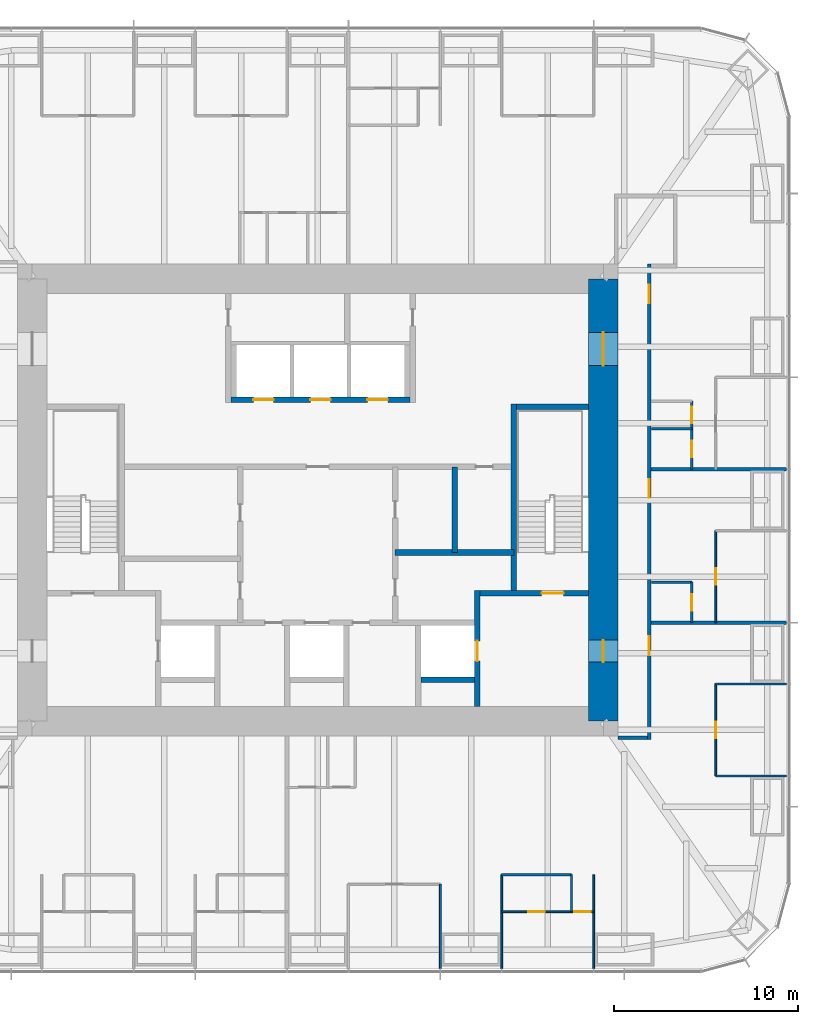
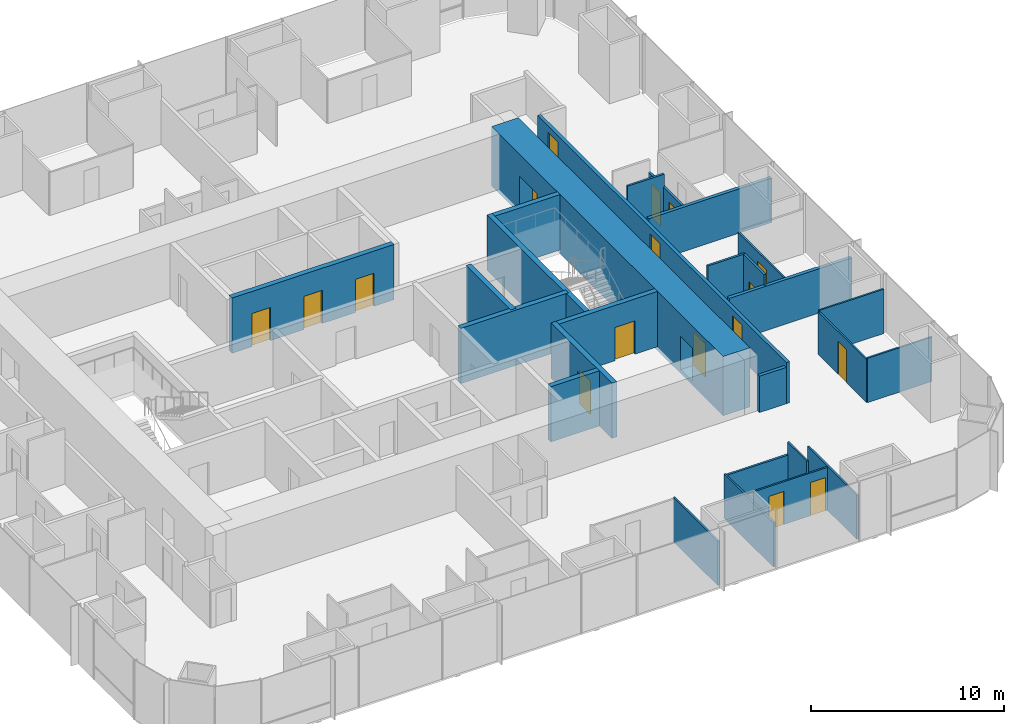
# One storey, part 10 of 13: 27 walls, 17 doors, 17 openings.
"""IFC4 building model written with IfcOpenShell, lengths in metres."""

from ifc_helpers import new_model, si_unit, direction, frame, frame_2d, origin, place, context, subcontext, project, spatial, rectangle, extrude, material, layer, layer_set, type_object, element, fill, save


model = new_model("IFC4")

# Units and contexts
model_context = context("Model", 3, precision=1e-05, world=origin(), true_north=direction((0.0, 1.0)))
body_context = subcontext(model_context, "Body", "Model", "MODEL_VIEW")
ifc_project = project(units=[si_unit("LENGTHUNIT", "METRE"), si_unit("AREAUNIT", "SQUARE_METRE"), si_unit("VOLUMEUNIT", "CUBIC_METRE"), si_unit("PLANEANGLEUNIT", "RADIAN"), si_unit("MASSUNIT", "GRAM", prefix="KILO")], contexts=[model_context])

# Site, building, storey
site_placement = place(None, origin())
site = spatial("IfcSite", under=ifc_project, at=site_placement, CompositionType="ELEMENT")
building_placement = place(site_placement, origin())
building = spatial("IfcBuilding", under=site, at=building_placement, Name="Khuree Lantern Residences", CompositionType="ELEMENT")
storey_placement = place(building_placement, frame((0.0, 0.0, 270.75)))
storey = spatial("IfcBuildingStorey", under=building, at=storey_placement, Name="L68", CompositionType="ELEMENT", Elevation=270.75)

# Wall, opening, door
ifc_material_1 = material(Name="Moisture-resistant gypsum board on steel studs", Category="steel")
ifc_layer_1 = layer(ifc_material_1, 0.125)
ifc_layer_set_1 = layer_set([ifc_layer_1], Name="BATHROOM WALL BTW125")
wall_type_1 = type_object("IfcWallType", Name="BATHROOM WALL BTW125", PredefinedType="PARTITIONING", material=ifc_layer_set_1)
wall_1_placement = place(storey_placement, frame((20.300048828125, -6.656005859375, 0.0), z_axis=(0.0, 0.0, 1.0), x_axis=(0.0, 1.0, 0.0)))
wall_1 = element("IfcWall", 1, at=wall_1_placement, inside=storey, type_object=wall_type_1, Name="L68 BATHROOM WALL 01", PredefinedType="PARTITIONING", context=body_context, shape_type="SweptSolid", body=[
    extrude(rectangle(XDim=2.199951171875, YDim=0.125, at=frame_2d((1.10009765625, 0.0))), origin(), (0.0, 0.0, 1.0), 3.5),
])
opening_1_placement = place(wall_1_placement, frame((0.64990234375, 0.0, 0.0)))
opening_1 = element("IfcOpeningElement", 2, at=opening_1_placement, cuts=wall_1, Name="Opening 68-024", PredefinedType="OPENING", context=body_context, shape_type="SweptSolid", body=[
    extrude(rectangle(XDim=0.89990234375, YDim=2.10009765625, at=frame_2d((0.449951171875, 1.050048828125))), frame((0.0, 0.072509765625, 0.0), z_axis=(0.0, -1.0, 0.0), x_axis=(1.0, 0.0, 0.0)), (0.0, 0.0, 1.0), 0.14501953125),
])
ifc_material_2 = material(Name="Timber door leaf in hardwood frame", Category="wood")
door_type_1 = type_object("IfcDoorType", Name="BATHROOM DOOR 900X2100", OperationType="SINGLE_SWING_LEFT", PredefinedType="DOOR", material=ifc_material_2)
door_1_placement = place(opening_1_placement, origin())
door_1 = element("IfcDoor", 3, at=door_1_placement, inside=storey, type_object=door_type_1, Name="Bathroom door 68-024", OperationType="SINGLE_SWING_LEFT", OverallHeight=2.10009765625, OverallWidth=0.89990234375, PredefinedType="DOOR", context=body_context, shape_type="SweptSolid", body=[
    extrude(rectangle(XDim=0.89990234375, YDim=2.10009765625, at=frame_2d((0.449951171875, 1.050048828125))), frame((0.0, 0.02490234375, 0.0), z_axis=(0.0, -1.0, 0.0), x_axis=(1.0, 0.0, 0.0)), (0.0, 0.0, 1.0), 0.050048828125),
])
fill(opening_1, door_1)

# Wall
wall_2_placement = place(storey_placement, frame((18.10009765625, -4.4560546875, 0.0), z_axis=(0.0, 0.0, 1.0), x_axis=(1.0, 0.0, 0.0)))
element("IfcWall", 4, at=wall_2_placement, inside=storey, type_object=wall_type_1, Name="L68 BATHROOM WALL 01", PredefinedType="PARTITIONING", context=body_context, shape_type="SweptSolid", body=[
    extrude(rectangle(XDim=2.199951171875, YDim=0.125, at=frame_2d((1.10009765625, 0.0))), origin(), (0.0, 0.0, 1.0), 3.5),
])

# Wall, openings, doors
wall_3_placement = place(storey_placement, frame((20.300048828125, 1.6640625, 0.0), z_axis=(0.0, 0.0, 1.0), x_axis=(0.0, 1.0, 0.0)))
wall_3 = element("IfcWall", 5, at=wall_3_placement, inside=storey, type_object=wall_type_1, Name="L68 BATHROOM WALL 02", PredefinedType="PARTITIONING", context=body_context, shape_type="SweptSolid", body=[
    extrude(rectangle(XDim=3.699951171875, YDim=0.125, at=frame_2d((1.85009765625, 0.0))), origin(), (0.0, 0.0, 1.0), 2.7099609375),
])
opening_2_placement = place(wall_3_placement, frame((0.64990234375, 0.0, 0.0)))
opening_2 = element("IfcOpeningElement", 6, at=opening_2_placement, cuts=wall_3, Name="Opening 68-030", PredefinedType="OPENING", context=body_context, shape_type="SweptSolid", body=[
    extrude(rectangle(XDim=0.89990234375, YDim=2.10009765625, at=frame_2d((0.449951171875, 1.050048828125))), frame((0.0, 0.072509765625, 0.0), z_axis=(0.0, -1.0, 0.0), x_axis=(1.0, 0.0, 0.0)), (0.0, 0.0, 1.0), 0.14501953125),
])
opening_3_placement = place(wall_3_placement, frame((2.5, 0.0, 0.0)))
opening_3 = element("IfcOpeningElement", 7, at=opening_3_placement, cuts=wall_3, Name="Opening 68-031", PredefinedType="OPENING", context=body_context, shape_type="SweptSolid", body=[
    extrude(rectangle(XDim=0.89990234375, YDim=2.10009765625, at=frame_2d((0.449951171875, 1.050048828125))), frame((0.0, 0.072509765625, 0.0), z_axis=(0.0, -1.0, 0.0), x_axis=(1.0, 0.0, 0.0)), (0.0, 0.0, 1.0), 0.14501953125),
])
door_2_placement = place(opening_2_placement, origin())
door_2 = element("IfcDoor", 8, at=door_2_placement, inside=storey, type_object=door_type_1, Name="Bathroom door 68-030", OperationType="SINGLE_SWING_LEFT", OverallHeight=2.10009765625, OverallWidth=0.89990234375, PredefinedType="DOOR", context=body_context, shape_type="SweptSolid", body=[
    extrude(rectangle(XDim=0.89990234375, YDim=2.10009765625, at=frame_2d((0.449951171875, 1.050048828125))), frame((0.0, 0.02490234375, 0.0), z_axis=(0.0, -1.0, 0.0), x_axis=(1.0, 0.0, 0.0)), (0.0, 0.0, 1.0), 0.050048828125),
])
fill(opening_2, door_2)
door_type_2 = type_object("IfcDoorType", Name="WC DOOR 900X2100", OperationType="SINGLE_SWING_LEFT", PredefinedType="DOOR", material=ifc_material_2)
door_3_placement = place(opening_3_placement, origin())
door_3 = element("IfcDoor", 9, at=door_3_placement, inside=storey, type_object=door_type_2, Name="WC door 68-031", OperationType="SINGLE_SWING_LEFT", OverallHeight=2.10009765625, OverallWidth=0.89990234375, PredefinedType="DOOR", context=body_context, shape_type="SweptSolid", body=[
    extrude(rectangle(XDim=0.89990234375, YDim=2.10009765625, at=frame_2d((0.449951171875, 1.050048828125))), frame((0.0, 0.02490234375, 0.0), z_axis=(0.0, -1.0, 0.0), x_axis=(1.0, 0.0, 0.0)), (0.0, 0.0, 1.0), 0.050048828125),
])
fill(opening_3, door_3)

# Walls
wall_4_placement = place(storey_placement, frame((18.10009765625, 3.864013671875, 0.0), z_axis=(0.0, 0.0, 1.0), x_axis=(1.0, 0.0, 0.0)))
element("IfcWall", 10, at=wall_4_placement, inside=storey, type_object=wall_type_1, Name="L68 BATHROOM WALL 02", PredefinedType="PARTITIONING", context=body_context, shape_type="SweptSolid", body=[
    extrude(rectangle(XDim=2.199951171875, YDim=0.125, at=frame_2d((1.10009765625, 0.0))), origin(), (0.0, 0.0, 1.0), 3.5),
])
wall_5_placement = place(storey_placement, frame((9.98388671875, -20.344970703125, 0.0), z_axis=(0.0, 0.0, 1.0), x_axis=(1.0, 0.0, 0.0)))
element("IfcWall", 11, at=wall_5_placement, inside=storey, type_object=wall_type_1, Name="L68 BATHROOM WALL 06", PredefinedType="PARTITIONING", context=body_context, shape_type="SweptSolid", body=[
    extrude(rectangle(XDim=3.7919921875, YDim=0.125, at=frame_2d((1.89599609375, 0.0))), origin(), (0.0, 0.0, 1.0), 2.7099609375),
])

# Wall, opening, door
ifc_material_3 = material(Name="Dense concrete blockwork", Category="masonry")
ifc_layer_2 = layer(ifc_material_3, 0.300048828125)
ifc_layer_set_2 = layer_set([ifc_layer_2], Name="CORE PARTITION WALL CPW300 EI 120")
wall_type_2 = type_object("IfcWallType", Name="CORE PARTITION WALL CPW300 EI 120", PredefinedType="PARTITIONING", material=ifc_layer_set_2)
wall_6_placement = place(storey_placement, frame((8.64990234375, -11.199951171875, 0.0), z_axis=(0.0, 0.0, 1.0), x_axis=(0.0, 1.0, 0.0)))
wall_6 = element("IfcWall", 12, at=wall_6_placement, inside=storey, type_object=wall_type_2, Name="L68 CORE WALL FL2E", PredefinedType="PARTITIONING", context=body_context, shape_type="SweptSolid", body=[
    extrude(rectangle(XDim=6.300048828125, YDim=0.300048828125, at=frame_2d((3.14990234375, 0.0))), origin(), (0.0, 0.0, 1.0), 3.5),
])
opening_4_placement = place(wall_6_placement, frame((2.449951171875, 0.0, 0.0)))
opening_4 = element("IfcOpeningElement", 13, at=opening_4_placement, cuts=wall_6, Name="Opening 68-008", PredefinedType="OPENING", context=body_context, shape_type="SweptSolid", body=[
    extrude(rectangle(XDim=1.10009765625, YDim=2.10009765625, at=frame_2d((0.550048828125, 1.050048828125))), frame((0.0, 0.16015625, 0.0), z_axis=(0.0, -1.0, 0.0), x_axis=(1.0, 0.0, 0.0)), (0.0, 0.0, 1.0), 0.320068359375),
])
ifc_material_4 = material(Name="Stainless steel lift landing door", Category="steel")
door_type_3 = type_object("IfcDoorType", Name="LIFT LANDING DOOR 1100X2100 E 120", OperationType="DOUBLE_DOOR_SLIDING", PredefinedType="DOOR", material=ifc_material_4)
door_4_placement = place(opening_4_placement, origin())
door_4 = element("IfcDoor", 14, at=door_4_placement, inside=storey, type_object=door_type_3, Name="Landing door FL2 68-008", OperationType="DOUBLE_DOOR_SLIDING", OverallHeight=2.10009765625, OverallWidth=1.10009765625, PredefinedType="DOOR", context=body_context, shape_type="SweptSolid", body=[
    extrude(rectangle(XDim=1.10009765625, YDim=2.10009765625, at=frame_2d((0.550048828125, 1.050048828125))), frame((0.0, 0.02490234375, 0.0), z_axis=(0.0, -1.0, 0.0), x_axis=(1.0, 0.0, 0.0)), (0.0, 0.0, 1.0), 0.050048828125),
])
fill(opening_4, door_4)

# Wall
wall_7_placement = place(storey_placement, frame((5.60009765625, -9.75, 0.0), z_axis=(0.0, 0.0, 1.0), x_axis=(1.0, 0.0, 0.0)))
element("IfcWall", 15, at=wall_7_placement, inside=storey, type_object=wall_type_2, Name="L68 CORE WALL FL2S", PredefinedType="PARTITIONING", context=body_context, shape_type="SweptSolid", body=[
    extrude(rectangle(XDim=2.89990234375, YDim=0.300048828125, at=frame_2d((1.449951171875, 0.0))), origin(), (0.0, 0.0, 1.0), 3.5),
])

# Wall, openings, doors
wall_8_placement = place(storey_placement, frame((-4.699951171875, 5.449951171875, 0.0), z_axis=(0.0, 0.0, 1.0), x_axis=(1.0, 0.0, 0.0)))
wall_8 = element("IfcWall", 16, at=wall_8_placement, inside=storey, type_object=wall_type_2, Name="L68 CORE WALL PHS", PredefinedType="PARTITIONING", context=body_context, shape_type="SweptSolid", body=[
    extrude(rectangle(XDim=9.699951171875, YDim=0.300048828125, at=frame_2d((4.85009765625, 0.0))), origin(), (0.0, 0.0, 1.0), 3.5),
])
opening_5_placement = place(wall_8_placement, frame((1.199951171875, 0.0, 0.0)))
opening_5 = element("IfcOpeningElement", 17, at=opening_5_placement, cuts=wall_8, Name="Opening 68-009", PredefinedType="OPENING", context=body_context, shape_type="SweptSolid", body=[
    extrude(rectangle(XDim=1.10009765625, YDim=2.10009765625, at=frame_2d((0.550048828125, 1.050048828125))), frame((0.0, 0.16015625, 0.0), z_axis=(0.0, -1.0, 0.0), x_axis=(1.0, 0.0, 0.0)), (0.0, 0.0, 1.0), 0.320068359375),
])
opening_6_placement = place(wall_8_placement, frame((4.300048828125, 0.0, 0.0)))
opening_6 = element("IfcOpeningElement", 18, at=opening_6_placement, cuts=wall_8, Name="Opening 68-010", PredefinedType="OPENING", context=body_context, shape_type="SweptSolid", body=[
    extrude(rectangle(XDim=1.10009765625, YDim=2.10009765625, at=frame_2d((0.550048828125, 1.050048828125))), frame((0.0, 0.16015625, 0.0), z_axis=(0.0, -1.0, 0.0), x_axis=(1.0, 0.0, 0.0)), (0.0, 0.0, 1.0), 0.320068359375),
])
opening_7_placement = place(wall_8_placement, frame((7.39990234375, 0.0, 0.0)))
opening_7 = element("IfcOpeningElement", 19, at=opening_7_placement, cuts=wall_8, Name="Opening 68-011", PredefinedType="OPENING", context=body_context, shape_type="SweptSolid", body=[
    extrude(rectangle(XDim=1.10009765625, YDim=2.10009765625, at=frame_2d((0.550048828125, 1.050048828125))), frame((0.0, 0.16015625, 0.0), z_axis=(0.0, -1.0, 0.0), x_axis=(1.0, 0.0, 0.0)), (0.0, 0.0, 1.0), 0.320068359375),
])
door_type_4 = type_object("IfcDoorType", Name="LIFT LANDING DOOR 1100X2100 E 60", OperationType="DOUBLE_DOOR_SLIDING", PredefinedType="DOOR", material=ifc_material_4)
door_5_placement = place(opening_5_placement, origin())
door_5 = element("IfcDoor", 20, at=door_5_placement, inside=storey, type_object=door_type_4, Name="Landing door PH1 68-009", OperationType="DOUBLE_DOOR_SLIDING", OverallHeight=2.10009765625, OverallWidth=1.10009765625, PredefinedType="DOOR", context=body_context, shape_type="SweptSolid", body=[
    extrude(rectangle(XDim=1.10009765625, YDim=2.10009765625, at=frame_2d((0.550048828125, 1.050048828125))), frame((0.0, 0.02490234375, 0.0), z_axis=(0.0, -1.0, 0.0), x_axis=(1.0, 0.0, 0.0)), (0.0, 0.0, 1.0), 0.050048828125),
])
fill(opening_5, door_5)
door_6_placement = place(opening_6_placement, origin())
door_6 = element("IfcDoor", 21, at=door_6_placement, inside=storey, type_object=door_type_4, Name="Landing door PH2 68-010", OperationType="DOUBLE_DOOR_SLIDING", OverallHeight=2.10009765625, OverallWidth=1.10009765625, PredefinedType="DOOR", context=body_context, shape_type="SweptSolid", body=[
    extrude(rectangle(XDim=1.10009765625, YDim=2.10009765625, at=frame_2d((0.550048828125, 1.050048828125))), frame((0.0, 0.02490234375, 0.0), z_axis=(0.0, -1.0, 0.0), x_axis=(1.0, 0.0, 0.0)), (0.0, 0.0, 1.0), 0.050048828125),
])
fill(opening_6, door_6)
door_7_placement = place(opening_7_placement, origin())
door_7 = element("IfcDoor", 22, at=door_7_placement, inside=storey, type_object=door_type_4, Name="Landing door PH3 68-011", OperationType="DOUBLE_DOOR_SLIDING", OverallHeight=2.10009765625, OverallWidth=1.10009765625, PredefinedType="DOOR", context=body_context, shape_type="SweptSolid", body=[
    extrude(rectangle(XDim=1.10009765625, YDim=2.10009765625, at=frame_2d((0.550048828125, 1.050048828125))), frame((0.0, 0.02490234375, 0.0), z_axis=(0.0, -1.0, 0.0), x_axis=(1.0, 0.0, 0.0)), (0.0, 0.0, 1.0), 0.050048828125),
])
fill(opening_7, door_7)

# Walls
wall_9_placement = place(storey_placement, frame((10.64990234375, -2.847900390625, 0.0), z_axis=(0.0, 0.0, 1.0), x_axis=(-1.0, 0.0, 0.0)))
element("IfcWall", 23, at=wall_9_placement, inside=storey, type_object=wall_type_2, Name="L68 CORE WALL EX", PredefinedType="PARTITIONING", context=body_context, shape_type="SweptSolid", body=[
    extrude(rectangle(XDim=6.449951171875, YDim=0.300048828125, at=frame_2d((3.22509765625, 0.0))), origin(), (0.0, 0.0, 1.0), 3.5),
])
wall_10_placement = place(storey_placement, frame((7.425048828125, -2.847900390625, 0.0), z_axis=(0.0, 0.0, 1.0), x_axis=(0.0, 1.0, 0.0)))
element("IfcWall", 24, at=wall_10_placement, inside=storey, type_object=wall_type_2, Name="L68 CORE WALL EV", PredefinedType="PARTITIONING", context=body_context, shape_type="SweptSolid", body=[
    extrude(rectangle(XDim=4.64794921875, YDim=0.300048828125, at=frame_2d((2.323974609375, 0.0))), origin(), (0.0, 0.0, 1.0), 3.5),
])
ifc_material_5 = material(Name="Gypsum board on steel studs", Category="steel")
ifc_layer_3 = layer(ifc_material_5, 0.199951171875)
ifc_layer_set_3 = layer_set([ifc_layer_3], Name="CORRIDOR WALL CRW200 EI 60")
wall_type_3 = type_object("IfcWallType", Name="CORRIDOR WALL CRW200 EI 60", PredefinedType="PARTITIONING", material=ifc_layer_set_3)
wall_11_placement = place(storey_placement, frame((16.300048828125, -12.89990234375, 0.0), z_axis=(0.0, 0.0, 1.0), x_axis=(1.0, 0.0, 0.0)))
element("IfcWall", 25, at=wall_11_placement, inside=storey, type_object=wall_type_3, Name="L68 EAST CORRIDOR SOUTH END WALL", PredefinedType="PARTITIONING", context=body_context, shape_type="SweptSolid", body=[
    extrude(rectangle(XDim=1.599853515625, YDim=0.199951171875, at=frame_2d((0.7998046875, 0.0))), origin(), (0.0, 0.0, 1.0), 2.300048828125),
])

# Wall, openings, doors
wall_12_placement = place(storey_placement, frame((18.0, -13.0, 0.0), z_axis=(0.0, 0.0, 1.0), x_axis=(0.0, 1.0, 0.0)))
wall_12 = element("IfcWall", 26, at=wall_12_placement, inside=storey, type_object=wall_type_3, Name="L68 CORRIDOR WALL EAST 1", PredefinedType="PARTITIONING", context=body_context, shape_type="SweptSolid", body=[
    extrude(rectangle(XDim=25.800048828125, YDim=0.199951171875, at=frame_2d((12.89990234375, 0.0))), origin(), (0.0, 0.0, 1.0), 2.60009765625),
])
opening_8_placement = place(wall_12_placement, frame((13.114013671875, 0.0, 0.0)))
opening_8 = element("IfcOpeningElement", 27, at=opening_8_placement, cuts=wall_12, Name="Opening 68-025", PredefinedType="OPENING", context=body_context, shape_type="SweptSolid", body=[
    extrude(rectangle(XDim=1.0, YDim=2.199951171875, at=frame_2d((0.5, 1.10009765625))), frame((0.0, 0.10986328125, 0.0), z_axis=(0.0, -1.0, 0.0), x_axis=(1.0, 0.0, 0.0)), (0.0, 0.0, 1.0), 0.219970703125),
])
opening_9_placement = place(wall_12_placement, frame((23.68408203125, 0.0, 0.0)))
opening_9 = element("IfcOpeningElement", 28, at=opening_9_placement, cuts=wall_12, Name="Opening 68-032", PredefinedType="OPENING", context=body_context, shape_type="SweptSolid", body=[
    extrude(rectangle(XDim=1.0, YDim=2.199951171875, at=frame_2d((0.5, 1.10009765625))), frame((0.0, 0.10986328125, 0.0), z_axis=(0.0, -1.0, 0.0), x_axis=(1.0, 0.0, 0.0)), (0.0, 0.0, 1.0), 0.219970703125),
])
opening_10_placement = place(wall_12_placement, frame((4.60009765625, 0.0, 0.0)))
opening_10 = element("IfcOpeningElement", 29, at=opening_10_placement, cuts=wall_12, Name="Opening 68-057", PredefinedType="OPENING", context=body_context, shape_type="SweptSolid", body=[
    extrude(rectangle(XDim=1.0, YDim=2.199951171875, at=frame_2d((0.5, 1.10009765625))), frame((0.0, 0.10986328125, 0.0), z_axis=(0.0, -1.0, 0.0), x_axis=(1.0, 0.0, 0.0)), (0.0, 0.0, 1.0), 0.219970703125),
])
door_type_5 = type_object("IfcDoorType", Name="APARTMENT ENTRANCE DOOR 1000X2200 EI 30S", OperationType="SINGLE_SWING_LEFT", PredefinedType="DOOR", material=ifc_material_2)
door_8_placement = place(opening_8_placement, origin())
door_8 = element("IfcDoor", 30, at=door_8_placement, inside=storey, type_object=door_type_5, Name="Apartment 01 entrance door 68-025", OperationType="SINGLE_SWING_LEFT", OverallHeight=2.199951171875, OverallWidth=1.0, PredefinedType="DOOR", context=body_context, shape_type="SweptSolid", body=[
    extrude(rectangle(XDim=1.0, YDim=2.199951171875, at=frame_2d((0.5, 1.10009765625))), frame((0.0, 0.02490234375, 0.0), z_axis=(0.0, -1.0, 0.0), x_axis=(1.0, 0.0, 0.0)), (0.0, 0.0, 1.0), 0.050048828125),
])
fill(opening_8, door_8)
door_9_placement = place(opening_9_placement, origin())
door_9 = element("IfcDoor", 31, at=door_9_placement, inside=storey, type_object=door_type_5, Name="Apartment 02 entrance door 68-032", OperationType="SINGLE_SWING_LEFT", OverallHeight=2.199951171875, OverallWidth=1.0, PredefinedType="DOOR", context=body_context, shape_type="SweptSolid", body=[
    extrude(rectangle(XDim=1.0, YDim=2.199951171875, at=frame_2d((0.5, 1.10009765625))), frame((0.0, 0.02490234375, 0.0), z_axis=(0.0, -1.0, 0.0), x_axis=(1.0, 0.0, 0.0)), (0.0, 0.0, 1.0), 0.050048828125),
])
fill(opening_9, door_9)
door_10_placement = place(opening_10_placement, origin())
door_10 = element("IfcDoor", 32, at=door_10_placement, inside=storey, type_object=door_type_5, Name="Apartment 06 entrance door 68-057", OperationType="SINGLE_SWING_LEFT", OverallHeight=2.199951171875, OverallWidth=1.0, PredefinedType="DOOR", context=body_context, shape_type="SweptSolid", body=[
    extrude(rectangle(XDim=1.0, YDim=2.199951171875, at=frame_2d((0.5, 1.10009765625))), frame((0.0, 0.02490234375, 0.0), z_axis=(0.0, -1.0, 0.0), x_axis=(1.0, 0.0, 0.0)), (0.0, 0.0, 1.0), 0.050048828125),
])
fill(opening_10, door_10)

ifc_material_6 = material(Name="Concrete C50/60", Category="concrete")
ifc_layer_4 = layer(ifc_material_6, 1.60009765625)
ifc_layer_set_4 = layer_set([ifc_layer_4], Name="CW1600-C50 CORE WALL C50 1600")
wall_type_4 = type_object("IfcWallType", Name="CW1600-C50 CORE WALL C50 1600", PredefinedType="SHEAR", material=ifc_layer_set_4)
wall_13_placement = place(storey_placement, frame((15.5, -12.0, -0.25), z_axis=(0.0, 0.0, 1.0), x_axis=(0.0, 1.0, 0.0)))
wall_13 = element("IfcWall", 33, at=wall_13_placement, inside=storey, type_object=wall_type_4, Name="Core wall E", PredefinedType="SHEAR", context=body_context, shape_type="SweptSolid", body=[
    extrude(rectangle(XDim=24.0, YDim=1.60009765625, at=frame_2d((12.0, 0.0))), origin(), (0.0, 0.0, 1.0), 3.75),
])
opening_11_placement = place(wall_13_placement, frame((3.199951171875, 0.0, 0.25)))
opening_11 = element("IfcOpeningElement", 34, at=opening_11_placement, cuts=wall_13, Name="Opening 68-005", PredefinedType="OPENING", context=body_context, shape_type="SweptSolid", body=[
    extrude(rectangle(XDim=1.199951171875, YDim=2.10009765625, at=frame_2d((0.60009765625, 1.050048828125))), frame((0.0, 0.81005859375, 0.0), z_axis=(0.0, -1.0, 0.0), x_axis=(1.0, 0.0, 0.0)), (0.0, 0.0, 1.0), 1.6201171875),
])
opening_12_placement = place(wall_13_placement, frame((19.300048828125, 0.0, 0.25)))
opening_12 = element("IfcOpeningElement", 35, at=opening_12_placement, cuts=wall_13, Name="Opening 68-006", PredefinedType="OPENING", context=body_context, shape_type="SweptSolid", body=[
    extrude(rectangle(XDim=1.800048828125, YDim=2.10009765625, at=frame_2d((0.89990234375, 1.050048828125))), frame((0.0, 0.81005859375, 0.0), z_axis=(0.0, -1.0, 0.0), x_axis=(1.0, 0.0, 0.0)), (0.0, 0.0, 1.0), 1.6201171875),
])
ifc_material_7 = material(Name="Steel door leaf in steel frame", Category="steel")
door_type_6 = type_object("IfcDoorType", Name="LOBBY DOOR 1200X2100 EI 120", OperationType="SINGLE_SWING_LEFT", PredefinedType="DOOR", material=ifc_material_7)
door_11_placement = place(opening_11_placement, origin())
door_11 = element("IfcDoor", 36, at=door_11_placement, inside=storey, type_object=door_type_6, Name="Firefighting lobby door 68-005", OperationType="SINGLE_SWING_LEFT", OverallHeight=2.10009765625, OverallWidth=1.199951171875, PredefinedType="DOOR", context=body_context, shape_type="SweptSolid", body=[
    extrude(rectangle(XDim=1.199951171875, YDim=2.10009765625, at=frame_2d((0.60009765625, 1.050048828125))), frame((0.0, 0.02490234375, 0.0), z_axis=(0.0, -1.0, 0.0), x_axis=(1.0, 0.0, 0.0)), (0.0, 0.0, 1.0), 0.050048828125),
])
fill(opening_11, door_11)
door_type_7 = type_object("IfcDoorType", Name="LOBBY DOUBLE DOOR 1800X2100 EI 60", OperationType="DOUBLE_DOOR_SINGLE_SWING", PredefinedType="DOOR", material=ifc_material_7)
door_12_placement = place(opening_12_placement, origin())
door_12 = element("IfcDoor", 37, at=door_12_placement, inside=storey, type_object=door_type_7, Name="Lift lobby door 68-006", OperationType="DOUBLE_DOOR_SINGLE_SWING", OverallHeight=2.10009765625, OverallWidth=1.800048828125, PredefinedType="DOOR", context=body_context, shape_type="SweptSolid", body=[
    extrude(rectangle(XDim=1.800048828125, YDim=2.10009765625, at=frame_2d((0.89990234375, 1.050048828125))), frame((0.0, 0.02490234375, 0.0), z_axis=(0.0, -1.0, 0.0), x_axis=(1.0, 0.0, 0.0)), (0.0, 0.0, 1.0), 0.050048828125),
])
fill(opening_12, door_12)

# Walls
ifc_layer_5 = layer(ifc_material_5, 0.199951171875)
ifc_layer_set_5 = layer_set([ifc_layer_5], Name="DEMISING WALL DMW200 EI 90")
wall_type_5 = type_object("IfcWallType", Name="DEMISING WALL DMW200 EI 90", PredefinedType="PARTITIONING", material=ifc_layer_set_5)
for number, where, z_axis, x_axis, name in (
    (38, (18.10009765625, -6.656005859375, 0.0), (0.0, 0.0, 1.0), (1.0, 0.0, 0.0), "L68 DEMISING WALL 01"),
    (39, (18.10009765625, 1.6640625, 0.0), (0.0, 0.0, 1.0), (1.0, 0.0, 0.0), "L68 DEMISING WALL 02"),
):
    element("IfcWall", number, at=place(storey_placement, frame(where, z_axis=z_axis, x_axis=x_axis)), inside=storey, type_object=wall_type_5, Name=name, PredefinedType="PARTITIONING", context=body_context, shape_type="SweptSolid", body=[
        extrude(rectangle(XDim=7.349853515625, YDim=0.199951171875, at=frame_2d((3.6748046875, 0.0))), origin(), (0.0, 0.0, 1.0), 2.81005859375),
    ])
ifc_layer_6 = layer(ifc_material_5, 0.10009765625)
ifc_layer_set_6 = layer_set([ifc_layer_6], Name="PARTITION PT100")
wall_type_6 = type_object("IfcWallType", Name="PARTITION PT100", PredefinedType="PARTITIONING", material=ifc_layer_set_6)
wall_14_placement = place(storey_placement, frame((6.656005859375, -20.85009765625, 0.0), z_axis=(0.0, 0.0, 1.0), x_axis=(0.0, -1.0, 0.0)))
element("IfcWall", 40, at=wall_14_placement, inside=storey, type_object=wall_type_6, Name="L68 PARTITION 06", PredefinedType="PARTITIONING", context=body_context, shape_type="SweptSolid", body=[
    extrude(rectangle(XDim=4.599853515625, YDim=0.10009765625, at=frame_2d((2.2998046875, 0.0))), origin(), (0.0, 0.0, 1.0), 2.81005859375),
])
for number, where, z_axis, x_axis, name in (
    (41, (9.98388671875, -20.344970703125, 0.0), (0.0, 0.0, 1.0), (0.0, -1.0, 0.0), "L68 PARTITION 06"),
    (42, (14.97607421875, -20.344970703125, 0.0), (0.0, 0.0, 1.0), (0.0, -1.0, 0.0), "L68 PARTITION 06"),
):
    element("IfcWall", number, at=place(storey_placement, frame(where, z_axis=z_axis, x_axis=x_axis)), inside=storey, type_object=wall_type_6, Name=name, PredefinedType="PARTITIONING", context=body_context, shape_type="SweptSolid", body=[
        extrude(rectangle(XDim=5.10498046875, YDim=0.10009765625, at=frame_2d((2.552490234375, 0.0))), origin(), (0.0, 0.0, 1.0), 2.81005859375),
    ])
for number, where, z_axis, x_axis, name in (
    (43, (21.60009765625, -14.97607421875, 0.0), (0.0, 0.0, 1.0), (1.0, 0.0, 0.0), "L68 PARTITION 06"),
    (44, (21.60009765625, -9.98388671875, 0.0), (0.0, 0.0, 1.0), (1.0, 0.0, 0.0), "L68 PARTITION 06"),
):
    element("IfcWall", number, at=place(storey_placement, frame(where, z_axis=z_axis, x_axis=x_axis)), inside=storey, type_object=wall_type_6, Name=name, PredefinedType="PARTITIONING", context=body_context, shape_type="SweptSolid", body=[
        extrude(rectangle(XDim=3.849853515625, YDim=0.10009765625, at=frame_2d((1.9248046875, 0.0))), origin(), (0.0, 0.0, 1.0), 2.81005859375),
    ])

# Wall, opening, door
wall_15_placement = place(storey_placement, frame((21.60009765625, -6.656005859375, 0.0), z_axis=(0.0, 0.0, 1.0), x_axis=(0.0, 1.0, 0.0)))
wall_15 = element("IfcWall", 45, at=wall_15_placement, inside=storey, type_object=wall_type_6, Name="L68 PARTITION 01", PredefinedType="PARTITIONING", context=body_context, shape_type="SweptSolid", body=[
    extrude(rectangle(XDim=4.991943359375, YDim=0.10009765625, at=frame_2d((2.49609375, 0.0))), origin(), (0.0, 0.0, 1.0), 2.7099609375),
])
opening_13_placement = place(wall_15_placement, frame((2.0458984375, 0.0, 0.0)))
opening_13 = element("IfcOpeningElement", 46, at=opening_13_placement, cuts=wall_15, Name="Opening 68-023", PredefinedType="OPENING", context=body_context, shape_type="SweptSolid", body=[
    extrude(rectangle(XDim=0.89990234375, YDim=2.10009765625, at=frame_2d((0.449951171875, 1.050048828125))), frame((0.0, 0.06005859375, 0.0), z_axis=(0.0, -1.0, 0.0), x_axis=(1.0, 0.0, 0.0)), (0.0, 0.0, 1.0), 0.1201171875),
])
door_type_8 = type_object("IfcDoorType", Name="BEDROOM DOOR 900X2100", OperationType="SINGLE_SWING_LEFT", PredefinedType="DOOR", material=ifc_material_2)
door_13_placement = place(opening_13_placement, origin())
door_13 = element("IfcDoor", 47, at=door_13_placement, inside=storey, type_object=door_type_8, Name="Bedroom door 68-023", OperationType="SINGLE_SWING_LEFT", OverallHeight=2.10009765625, OverallWidth=0.89990234375, PredefinedType="DOOR", context=body_context, shape_type="SweptSolid", body=[
    extrude(rectangle(XDim=0.89990234375, YDim=2.10009765625, at=frame_2d((0.449951171875, 1.050048828125))), frame((0.0, 0.02490234375, 0.0), z_axis=(0.0, -1.0, 0.0), x_axis=(1.0, 0.0, 0.0)), (0.0, 0.0, 1.0), 0.050048828125),
])
fill(opening_13, door_13)

# Wall, openings, doors
wall_16_placement = place(storey_placement, frame((9.98388671875, -22.344970703125, 0.0), z_axis=(0.0, 0.0, 1.0), x_axis=(1.0, 0.0, 0.0)))
wall_16 = element("IfcWall", 48, at=wall_16_placement, inside=storey, type_object=wall_type_6, Name="L68 PARTITION 06", PredefinedType="PARTITIONING", context=body_context, shape_type="SweptSolid", body=[
    extrude(rectangle(XDim=4.9921875, YDim=0.10009765625, at=frame_2d((2.49609375, 0.0))), origin(), (0.0, 0.0, 1.0), 2.7099609375),
])
opening_14_placement = place(wall_16_placement, frame((3.94189453125, 0.0, 0.0)))
opening_14 = element("IfcOpeningElement", 49, at=opening_14_placement, cuts=wall_16, Name="Opening 68-052", PredefinedType="OPENING", context=body_context, shape_type="SweptSolid", body=[
    extrude(rectangle(XDim=0.89990234375, YDim=2.10009765625, at=frame_2d((0.449951171875, 1.050048828125))), frame((0.0, 0.06005859375, 0.0), z_axis=(0.0, -1.0, 0.0), x_axis=(1.0, 0.0, 0.0)), (0.0, 0.0, 1.0), 0.1201171875),
])
opening_15_placement = place(wall_16_placement, frame((1.446044921875, 0.0, 0.0)))
opening_15 = element("IfcOpeningElement", 50, at=opening_15_placement, cuts=wall_16, Name="Opening 68-053", PredefinedType="OPENING", context=body_context, shape_type="SweptSolid", body=[
    extrude(rectangle(XDim=0.89990234375, YDim=2.10009765625, at=frame_2d((0.449951171875, 1.050048828125))), frame((0.0, 0.06005859375, 0.0), z_axis=(0.0, -1.0, 0.0), x_axis=(1.0, 0.0, 0.0)), (0.0, 0.0, 1.0), 0.1201171875),
])
door_14_placement = place(opening_15_placement, origin())
door_14 = element("IfcDoor", 51, at=door_14_placement, inside=storey, type_object=door_type_1, Name="Bathroom door 68-053", OperationType="SINGLE_SWING_LEFT", OverallHeight=2.10009765625, OverallWidth=0.89990234375, PredefinedType="DOOR", context=body_context, shape_type="SweptSolid", body=[
    extrude(rectangle(XDim=0.89990234375, YDim=2.10009765625, at=frame_2d((0.449951171875, 1.050048828125))), frame((0.0, 0.02490234375, 0.0), z_axis=(0.0, -1.0, 0.0), x_axis=(1.0, 0.0, 0.0)), (0.0, 0.0, 1.0), 0.050048828125),
])
fill(opening_15, door_14)
door_15_placement = place(opening_14_placement, origin())
door_15 = element("IfcDoor", 52, at=door_15_placement, inside=storey, type_object=door_type_8, Name="Bedroom door 68-052", OperationType="SINGLE_SWING_LEFT", OverallHeight=2.10009765625, OverallWidth=0.89990234375, PredefinedType="DOOR", context=body_context, shape_type="SweptSolid", body=[
    extrude(rectangle(XDim=0.89990234375, YDim=2.10009765625, at=frame_2d((0.449951171875, 1.050048828125))), frame((0.0, 0.02490234375, 0.0), z_axis=(0.0, -1.0, 0.0), x_axis=(1.0, 0.0, 0.0)), (0.0, 0.0, 1.0), 0.050048828125),
])
fill(opening_14, door_15)

# Wall
wall_17_placement = place(storey_placement, frame((13.77587890625, -20.344970703125, 0.0), z_axis=(0.0, 0.0, 1.0), x_axis=(0.0, -1.0, 0.0)))
element("IfcWall", 53, at=wall_17_placement, inside=storey, type_object=wall_type_6, Name="L68 PARTITION 06", PredefinedType="PARTITIONING", context=body_context, shape_type="SweptSolid", body=[
    extrude(rectangle(XDim=2.0, YDim=0.10009765625, at=frame_2d((1.0, 0.0))), origin(), (0.0, 0.0, 1.0), 3.5),
])

# Wall, opening, door
wall_18_placement = place(storey_placement, frame((21.60009765625, -14.97607421875, 0.0), z_axis=(0.0, 0.0, 1.0), x_axis=(0.0, 1.0, 0.0)))
wall_18 = element("IfcWall", 54, at=wall_18_placement, inside=storey, type_object=wall_type_6, Name="L68 PARTITION 06", PredefinedType="PARTITIONING", context=body_context, shape_type="SweptSolid", body=[
    extrude(rectangle(XDim=4.9921875, YDim=0.10009765625, at=frame_2d((2.49609375, 0.0))), origin(), (0.0, 0.0, 1.0), 2.7099609375),
])
opening_16_placement = place(wall_18_placement, frame((2.0458984375, 0.0, 0.0)))
opening_16 = element("IfcOpeningElement", 55, at=opening_16_placement, cuts=wall_18, Name="Opening 68-054", PredefinedType="OPENING", context=body_context, shape_type="SweptSolid", body=[
    extrude(rectangle(XDim=0.89990234375, YDim=2.10009765625, at=frame_2d((0.449951171875, 1.050048828125))), frame((0.0, 0.06005859375, 0.0), z_axis=(0.0, -1.0, 0.0), x_axis=(1.0, 0.0, 0.0)), (0.0, 0.0, 1.0), 0.1201171875),
])
door_16_placement = place(opening_16_placement, origin())
door_16 = element("IfcDoor", 56, at=door_16_placement, inside=storey, type_object=door_type_8, Name="Bedroom door 68-054", OperationType="SINGLE_SWING_LEFT", OverallHeight=2.10009765625, OverallWidth=0.89990234375, PredefinedType="DOOR", context=body_context, shape_type="SweptSolid", body=[
    extrude(rectangle(XDim=0.89990234375, YDim=2.10009765625, at=frame_2d((0.449951171875, 1.050048828125))), frame((0.0, 0.02490234375, 0.0), z_axis=(0.0, -1.0, 0.0), x_axis=(1.0, 0.0, 0.0)), (0.0, 0.0, 1.0), 0.050048828125),
])
fill(opening_16, door_16)

# Wall
ifc_layer_7 = layer(ifc_material_6, 0.300048828125)
ifc_layer_set_7 = layer_set([ifc_layer_7], Name="STAIR WALL SRW300 C50/60 REI 240")
wall_type_7 = type_object("IfcWallType", Name="STAIR WALL SRW300 C50/60 REI 240", PredefinedType="SOLIDWALL", material=ifc_layer_set_7)
wall_19_placement = place(storey_placement, frame((10.64990234375, -4.89990234375, 0.0), z_axis=(0.0, 0.0, 1.0), x_axis=(0.0, 1.0, 0.0)))
element("IfcWall", 57, at=wall_19_placement, inside=storey, type_object=wall_type_7, Name="L68 STAIR WALL ST2E", PredefinedType="SOLIDWALL", context=body_context, shape_type="SweptSolid", body=[
    extrude(rectangle(XDim=10.099853515625, YDim=0.300048828125, at=frame_2d((5.0498046875, 0.0))), origin(), (0.0, 0.0, 1.0), 3.5),
])

# Wall, opening, door
wall_20_placement = place(storey_placement, frame((14.699951171875, -5.050048828125, 0.0), z_axis=(0.0, 0.0, 1.0), x_axis=(-1.0, 0.0, 0.0)))
wall_20 = element("IfcWall", 58, at=wall_20_placement, inside=storey, type_object=wall_type_7, Name="L68 STAIR WALL ST2S", PredefinedType="SOLIDWALL", context=body_context, shape_type="SweptSolid", body=[
    extrude(rectangle(XDim=5.89990234375, YDim=0.300048828125, at=frame_2d((2.949951171875, 0.0))), origin(), (0.0, 0.0, 1.0), 3.5),
])
opening_17_placement = place(wall_20_placement, frame((1.35009765625, 0.0, 0.0)))
opening_17 = element("IfcOpeningElement", 59, at=opening_17_placement, cuts=wall_20, Name="Opening 68-004", PredefinedType="OPENING", context=body_context, shape_type="SweptSolid", body=[
    extrude(rectangle(XDim=1.199951171875, YDim=2.10009765625, at=frame_2d((0.60009765625, 1.050048828125))), frame((0.0, 0.16015625, 0.0), z_axis=(0.0, -1.0, 0.0), x_axis=(1.0, 0.0, 0.0)), (0.0, 0.0, 1.0), 0.320068359375),
])
door_type_9 = type_object("IfcDoorType", Name="STAIR DOOR 1200X2100 EI 120", OperationType="SINGLE_SWING_LEFT", PredefinedType="DOOR", material=ifc_material_7)
door_17_placement = place(opening_17_placement, origin())
door_17 = element("IfcDoor", 60, at=door_17_placement, inside=storey, type_object=door_type_9, Name="Stair ST2 door 68-004", OperationType="SINGLE_SWING_LEFT", OverallHeight=2.10009765625, OverallWidth=1.199951171875, PredefinedType="DOOR", context=body_context, shape_type="SweptSolid", body=[
    extrude(rectangle(XDim=1.199951171875, YDim=2.10009765625, at=frame_2d((0.60009765625, 1.050048828125))), frame((0.0, 0.02490234375, 0.0), z_axis=(0.0, -1.0, 0.0), x_axis=(1.0, 0.0, 0.0)), (0.0, 0.0, 1.0), 0.050048828125),
])
fill(opening_17, door_17)

# Wall
wall_21_placement = place(storey_placement, frame((14.699951171875, 5.050048828125, 0.0), z_axis=(0.0, 0.0, 1.0), x_axis=(-1.0, 0.0, 0.0)))
element("IfcWall", 61, at=wall_21_placement, inside=storey, type_object=wall_type_7, Name="L68 STAIR WALL ST2N", PredefinedType="SOLIDWALL", context=body_context, shape_type="SweptSolid", body=[
    extrude(rectangle(XDim=3.89990234375, YDim=0.300048828125, at=frame_2d((1.949951171875, 0.0))), origin(), (0.0, 0.0, 1.0), 3.5),
])

save(model, "model.ifc")
